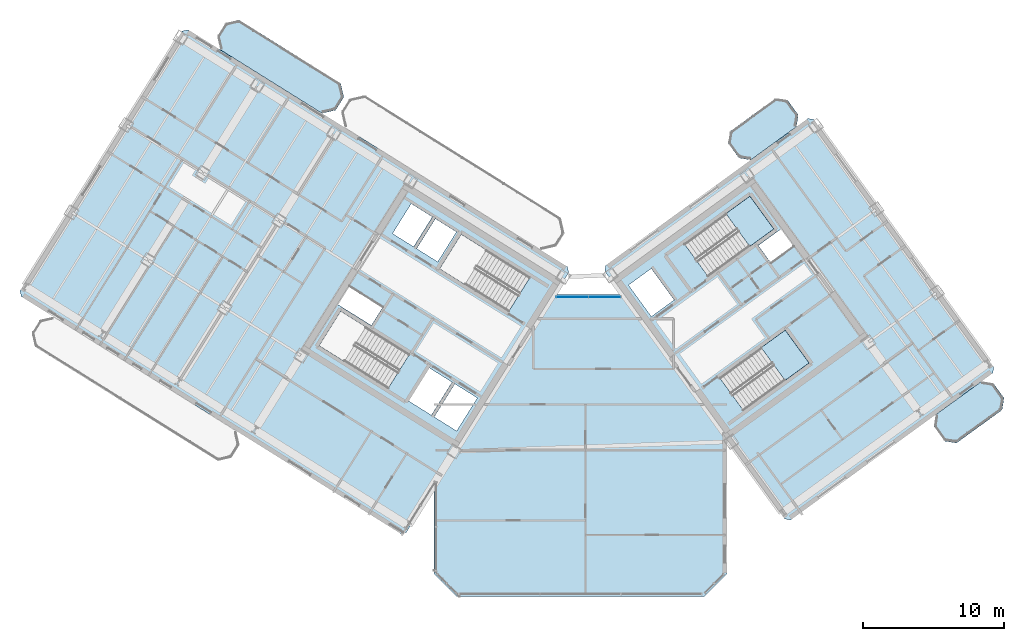
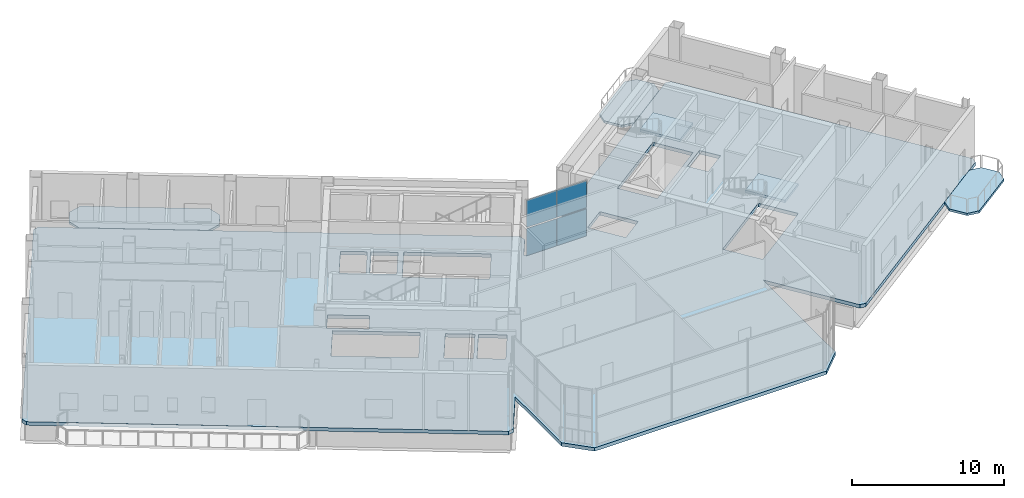
# One storey, part 15 of 26: 6 slabs, 4 plates, 3 elements without a shape of their own.
"""IFC4 building model written with IfcOpenShell, lengths in metres."""

import ifcopenshell
import ifcopenshell.guid

model = None  # the IFC model being written
_history = None  # IfcOwnerHistory: only IFC2X3 demands one
_inside = {}  # id of a spatial element -> (the spatial element, [elements in it])
_under = {}  # id of a project, library or spatial element -> (it, [spatial elements below it])
_declared = {}  # id of a project -> (the project, [libraries it declares])
_typed = {}  # id of a type object -> (the type object, [elements of that type])
_made_of = {}  # id of a material, layer set ... -> (it, [elements and type objects made of it])


def new_model(schema):
    """Start an empty IFC model of exactly this schema.

    Asked for "IFC4X3", IfcOpenShell would pick the latest addendum, in which some entities
    have other attributes; the version numbers below select the first issue.
    IFC2X3 requires an IfcOwnerHistory on every rooted entity: one is made here for all.
    """
    global model, _history
    if schema == "IFC4X3":
        model = ifcopenshell.file(schema_version=(4, 3, 0, 0))
    else:
        model = ifcopenshell.file(schema=schema)
    _inside.clear()
    _under.clear()
    _declared.clear()
    _typed.clear()
    _made_of.clear()
    _history = None
    if model.schema == "IFC2X3":
        org = make("IfcOrganization", Name="unknown")
        user = make(
            "IfcPersonAndOrganization",
            ThePerson=make("IfcPerson", FamilyName="unknown"),
            TheOrganization=org,
        )
        app = make(
            "IfcApplication",
            ApplicationDeveloper=org,
            Version="unknown",
            ApplicationFullName="unknown",
            ApplicationIdentifier="unknown",
        )
        _history = make(
            "IfcOwnerHistory",
            OwningUser=user,
            OwningApplication=app,
            ChangeAction="ADDED",
            CreationDate=0,
        )
    return model


def make(cls, **values):
    """One entity of the class cls with the attributes given. An attribute that is None is left unset."""
    return model.create_entity(
        cls, **{name: value for name, value in values.items() if value is not None}
    )


def rooted(cls, **values):
    """An entity with a GlobalId (a new one), such as an element, a storey or a relation."""
    return make(cls, GlobalId=ifcopenshell.guid.new(), OwnerHistory=_history, **values)


def si_unit(unit_type, name, prefix=None):
    """IfcSIUnit, for example si_unit("LENGTHUNIT", "METRE", prefix="MILLI")."""
    return make("IfcSIUnit", UnitType=unit_type, Prefix=prefix, Name=name)


def assignment(units):
    """IfcUnitAssignment: the units of a project."""
    return None if units is None else make("IfcUnitAssignment", Units=units)


def point(xyz):
    """IfcCartesianPoint."""
    return None if xyz is None else make("IfcCartesianPoint", Coordinates=xyz)


def direction(xyz):
    """IfcDirection."""
    return None if xyz is None else make("IfcDirection", DirectionRatios=xyz)


def frame(location, z_axis=None, x_axis=None):
    """IfcAxis2Placement3D, a coordinate frame: its origin and axes. An axis left out is left unset."""
    return make(
        "IfcAxis2Placement3D",
        Location=point(location),
        Axis=direction(z_axis),
        RefDirection=direction(x_axis),
    )


def frame_2d(location, x_axis=None):
    """IfcAxis2Placement2D, a coordinate frame in the plane: its origin and x axis."""
    return make(
        "IfcAxis2Placement2D", Location=point(location), RefDirection=direction(x_axis)
    )


def origin():
    """The frame at (0, 0, 0) with its axes left unset."""
    return frame((0.0, 0.0, 0.0))


def origin_2d():
    """The frame at (0, 0) in the plane with its x axis left unset."""
    return frame_2d((0.0, 0.0))


def place(relative_to, where):
    """IfcLocalPlacement: puts the frame where relative to a parent placement (None: the world)."""
    return make(
        "IfcLocalPlacement", PlacementRelTo=relative_to, RelativePlacement=where
    )


def context(
    kind, dimensions, precision=None, world=None, true_north=None, identifier=None
):
    """IfcGeometricRepresentationContext, for example the 3D "Model" context."""
    return make(
        "IfcGeometricRepresentationContext",
        ContextIdentifier=identifier,
        ContextType=kind,
        CoordinateSpaceDimension=dimensions,
        Precision=precision,
        WorldCoordinateSystem=world,
        TrueNorth=true_north,
    )


def subcontext(parent, identifier, kind, view, scale=None):
    """IfcGeometricRepresentationSubContext, for example "Body" below "Model"."""
    return make(
        "IfcGeometricRepresentationSubContext",
        ContextIdentifier=identifier,
        ContextType=kind,
        ParentContext=parent,
        TargetScale=scale,
        TargetView=view,
    )


def project(units=None, contexts=None):
    """IfcProject with its units and contexts."""
    return rooted(
        "IfcProject",
        Name="project",
        RepresentationContexts=contexts,
        UnitsInContext=assignment(units),
    )


def spatial(cls, under=None, at=None, **own):
    """A site, building, storey or space (cls), placed at a placement, below another one or the project."""
    s = rooted(cls, ObjectPlacement=at, **own)
    if under is not None:
        _under.setdefault(under.id(), (under, []))[1].append(s)
    return s


def polyline(points):
    """IfcPolyline through the points."""
    return make("IfcPolyline", Points=[point(p) for p in points])


def profile(cls, at=None, kind="AREA", **sizes):
    """A parametric profile (cls). Its sizes go by their IFC names, for example OverallWidth=200.0."""
    return make(cls, ProfileType=kind, Position=at, **sizes)


def rectangle(**sizes):
    """IfcRectangleProfileDef."""
    return profile("IfcRectangleProfileDef", **sizes)


def outline(outer, holes=None, kind="AREA"):
    """IfcArbitraryClosedProfileDef: a profile drawn as a closed curve; with holes, ...WithVoids."""
    if holes is None:
        return make("IfcArbitraryClosedProfileDef", ProfileType=kind, OuterCurve=outer)
    return make(
        "IfcArbitraryProfileDefWithVoids",
        ProfileType=kind,
        OuterCurve=outer,
        InnerCurves=holes,
    )


def extrude(swept, where, along, depth):
    """IfcExtrudedAreaSolid: the profile swept, set in the frame where, extruded along a direction by depth."""
    return make(
        "IfcExtrudedAreaSolid",
        SweptArea=swept,
        Position=where,
        ExtrudedDirection=direction(along),
        Depth=depth,
    )


def shape(context_of_items, identifier, shape_type, items):
    """IfcShapeRepresentation: the items that make up one representation, for example the "Body"."""
    return make(
        "IfcShapeRepresentation",
        ContextOfItems=context_of_items,
        RepresentationIdentifier=identifier,
        RepresentationType=shape_type,
        Items=items,
    )


def source(mapping_origin, context_of_items, identifier, shape_type, items):
    """IfcRepresentationMap: a shape defined once, which mapped items show again and again."""
    return make(
        "IfcRepresentationMap",
        MappingOrigin=mapping_origin,
        MappedRepresentation=shape(context_of_items, identifier, shape_type, items),
    )


def transform(
    local_origin,
    x_axis=None,
    y_axis=None,
    z_axis=None,
    scale=None,
    scale2=None,
    scale3=None,
    uniform=True,
):
    """IfcCartesianTransformationOperator3D, or its non-uniform kind. x_axis, y_axis, z_axis: its Axis1, 2, 3."""
    if uniform:
        return make(
            "IfcCartesianTransformationOperator3D",
            Axis1=direction(x_axis),
            Axis2=direction(y_axis),
            LocalOrigin=point(local_origin),
            Scale=scale,
            Axis3=direction(z_axis),
        )
    return make(
        "IfcCartesianTransformationOperator3DnonUniform",
        Axis1=direction(x_axis),
        Axis2=direction(y_axis),
        LocalOrigin=point(local_origin),
        Scale=scale,
        Axis3=direction(z_axis),
        Scale2=scale2,
        Scale3=scale3,
    )


def mapped(mapping_source, mapping_target):
    """IfcMappedItem: shows the shape of a source again, moved by a transform."""
    return make(
        "IfcMappedItem", MappingSource=mapping_source, MappingTarget=mapping_target
    )


def material(Name=None, Category=None):
    """IfcMaterial."""
    return make("IfcMaterial", Name=Name, Category=Category)


def layer(
    of_material, thickness, ventilated=None, Name=None, Category=None, Priority=None
):
    """IfcMaterialLayer: one layer of a wall or slab, of a material (None: an air gap)."""
    return make(
        "IfcMaterialLayer",
        Material=of_material,
        LayerThickness=thickness,
        IsVentilated=ventilated,
        Name=Name,
        Category=Category,
        Priority=Priority,
    )


def layer_set(layers, Name=None):
    """IfcMaterialLayerSet."""
    return make("IfcMaterialLayerSet", MaterialLayers=layers, LayerSetName=Name)


def made_of(thing, what):
    """Note that an element or type object is made of a material, layer set ...; save() writes the relation."""
    if what is not None:
        _made_of.setdefault(what.id(), (what, []))[1].append(thing)
    return thing


def type_object(cls, material=None, **own):
    """A type object (cls), such as IfcWallType, which elements share."""
    return made_of(rooted(cls, **own), material)


def element(
    cls,
    number,
    at=None,
    inside=None,
    cuts=None,
    type_object=None,
    material=None,
    context=None,
    identifier="Body",
    shape_type=None,
    held_by="IfcProductDefinitionShape",
    body=None,
    shapes=None,
    **own,
):
    """One element of the class cls, such as IfcWall. Its Tag is "e" and its number.

    at: its placement. inside: the storey or other place that contains it. cuts: it is an
    opening in that element (IfcRelVoidsElement). A single representation is given by context,
    identifier, shape_type and body (its items); several are given by shapes. held_by: the class
    of the entity that holds the representations. save() writes the other relations.
    """
    e = rooted(cls, Tag="e%d" % number, ObjectPlacement=at, **own)
    if body is not None:
        shapes = [shape(context, identifier, shape_type, body)]
    if shapes is not None:
        e.Representation = make(held_by, Representations=shapes)
    if inside is not None:
        _inside.setdefault(inside.id(), (inside, []))[1].append(e)
    if cuts is not None:
        rooted(
            "IfcRelVoidsElement", RelatingBuildingElement=cuts, RelatedOpeningElement=e
        )
    if type_object is not None:
        _typed.setdefault(type_object.id(), (type_object, []))[1].append(e)
    return made_of(e, material)


def aggregate(whole, parts):
    """IfcRelAggregates: a whole, such as a stair, and the parts it consists of."""
    return rooted("IfcRelAggregates", RelatingObject=whole, RelatedObjects=parts)


def save(model, path):
    """Write the relations noted so far, then the file.

    IfcRelAggregates (storeys below a building ...), IfcRelContainedInSpatialStructure (elements
    in a storey), IfcRelDefinesByType, IfcRelAssociatesMaterial and IfcRelDeclares: one each for
    every whole, place, type object, material and project.
    """
    for whole, parts in _under.values():
        aggregate(whole, parts)
    for where, things in _inside.values():
        rooted(
            "IfcRelContainedInSpatialStructure",
            RelatedElements=things,
            RelatingStructure=where,
        )
    for kind, things in _typed.values():
        rooted("IfcRelDefinesByType", RelatedObjects=things, RelatingType=kind)
    for what, things in _made_of.values():
        rooted("IfcRelAssociatesMaterial", RelatedObjects=things, RelatingMaterial=what)
    for by, libraries in _declared.values():
        rooted("IfcRelDeclares", RelatingContext=by, RelatedDefinitions=libraries)
    model.write(path)


model = new_model("IFC4")

# Units and contexts
model_context = context("Model", 3, precision=1e-05, world=origin(), true_north=direction((0.0, 1.0)))
body_context = subcontext(model_context, "Body", "Model", "MODEL_VIEW")
ifc_project = project(units=[si_unit("LENGTHUNIT", "METRE"), si_unit("AREAUNIT", "SQUARE_METRE"), si_unit("VOLUMEUNIT", "CUBIC_METRE"), si_unit("PLANEANGLEUNIT", "RADIAN"), si_unit("MASSUNIT", "GRAM", prefix="KILO")], contexts=[model_context])

# Site, building, storey
site_placement = place(None, origin())
site = spatial("IfcSite", under=ifc_project, at=site_placement, CompositionType="ELEMENT")
building_placement = place(site_placement, origin())
building = spatial("IfcBuilding", under=site, at=building_placement, Name="Tlacorven Tower", CompositionType="ELEMENT")
storey_placement = place(building_placement, frame((0.0, 0.0, 233.699951171875)))
storey = spatial("IfcBuildingStorey", under=building, at=storey_placement, Name="L59", CompositionType="ELEMENT", Elevation=233.699951171875)

# Slabs
ifc_material_1 = material(Name="Precast concrete C45/55", Category="concrete")
ifc_layer_1 = layer(ifc_material_1, 0.179931640625)
ifc_layer_set_1 = layer_set([ifc_layer_1], Name="Precast concrete C45/55")
slab_type_1 = type_object("IfcSlabType", Name="SL-BAL-180", PredefinedType="USERDEFINED", material=ifc_layer_set_1)
slab_1_placement = place(storey_placement, frame((0.0, 0.0, -0.179931640625)))
element("IfcSlab", 1, at=slab_1_placement, inside=storey, type_object=slab_type_1, Name="L59 West Wing Balcony Ribbon IN", ObjectType="BALCONY SLAB", PredefinedType="USERDEFINED", context=body_context, shape_type="SweptSolid", body=[
    extrude(outline(polyline([(24.98974609375, 38.18115234375), (17.781494140625, 42.685546875), (16.81689453125, 42.462890625), (16.236572265625, 41.5341796875), (16.459228515625, 40.569580078125), (23.667724609375, 36.065185546875), (24.63232421875, 36.2880859375), (25.21240234375, 37.216552734375), (24.98974609375, 38.18115234375)])), origin(), (0.0, 0.0, 1.0), 0.179931640625),
])
slab_2_placement = place(storey_placement, frame((0.0, 0.0, -0.179931640625)))
element("IfcSlab", 2, at=slab_2_placement, inside=storey, type_object=slab_type_1, Name="L59 East Wing Balcony Ribbon OUT", ObjectType="BALCONY SLAB", PredefinedType="USERDEFINED", context=body_context, shape_type="SweptSolid", body=[
    extrude(outline(polyline([(68.669921875, 12.678955078125), (71.906005859375, 15.0302734375), (72.03857421875, 15.8681640625), (71.27734375, 16.916015625), (70.439453125, 17.048583984375), (67.203369140625, 14.697509765625), (67.070556640625, 13.859375), (67.831787109375, 12.811767578125), (68.669921875, 12.678955078125)])), origin(), (0.0, 0.0, 1.0), 0.179931640625),
])
slab_3_placement = place(storey_placement, frame((0.0, 0.0, -0.179931640625)))
element("IfcSlab", 3, at=slab_3_placement, inside=storey, type_object=slab_type_1, Name="L59 East Wing Balcony Ribbon IN", ObjectType="BALCONY SLAB", PredefinedType="USERDEFINED", context=body_context, shape_type="SweptSolid", body=[
    extrude(outline(polyline([(54.078125, 32.762939453125), (57.314208984375, 35.114013671875), (57.44677734375, 35.9521484375), (56.685791015625, 36.999755859375), (55.84765625, 37.132568359375), (52.611572265625, 34.78125), (52.478759765625, 33.943359375), (53.239990234375, 32.8955078125), (54.078125, 32.762939453125)])), origin(), (0.0, 0.0, 1.0), 0.179931640625),
])

# Stair, slab
ifc_material_2 = material(Name="Concrete C40/50", Category="concrete")
stair_type = type_object("IfcStairType", Name="ST-CORE-DLG", PredefinedType="HALF_TURN_STAIR", material=ifc_material_2)
stair_1_placement = place(storey_placement, origin())
stair_1 = element("IfcStair", 4, at=stair_1_placement, inside=storey, type_object=stair_type, Name="L59 Protected Exit Stair East 1", PredefinedType="HALF_TURN_STAIR")
ifc_layer_2 = layer(ifc_material_2, 0.199951171875)
ifc_layer_set_2 = layer_set([ifc_layer_2], Name="Concrete C40/50")
slab_type_2 = type_object("IfcSlabType", Name="SL-LND-200", PredefinedType="LANDING", material=ifc_layer_set_2)
slab_4_placement = place(storey_placement, frame((0.0, 0.0, 2.199951171875)))
slab_4 = element("IfcSlab", 5, at=slab_4_placement, type_object=slab_type_2, Name="ST-E1 landing 1", PredefinedType="LANDING", context=body_context, shape_type="SweptSolid", body=[
    extrude(outline(polyline([(54.00390625, 26.621337890625), (55.7109375, 27.861572265625), (54.01806640625, 30.19140625), (52.31103515625, 28.951171875), (54.00390625, 26.621337890625)])), origin(), (0.0, 0.0, 1.0), 0.2001953125),
])
aggregate(stair_1, [slab_4])

stair_2_placement = place(storey_placement, origin())
stair_2 = element("IfcStair", 6, at=stair_2_placement, inside=storey, type_object=stair_type, Name="L59 Protected Exit Stair East 2", PredefinedType="HALF_TURN_STAIR")
slab_5_placement = place(storey_placement, frame((0.0, 0.0, 2.199951171875)))
slab_5 = element("IfcSlab", 7, at=slab_5_placement, type_object=slab_type_2, Name="ST-E2 landing 1", PredefinedType="LANDING", context=body_context, shape_type="SweptSolid", body=[
    extrude(outline(polyline([(56.5078125, 17.1181640625), (58.21484375, 18.3583984375), (56.52197265625, 20.6884765625), (54.81494140625, 19.4482421875), (56.5078125, 17.1181640625)])), origin(), (0.0, 0.0, 1.0), 0.2001953125),
])
aggregate(stair_2, [slab_5])

# Slab
ifc_material_3 = material(Name="Concrete C50/60", Category="concrete")
ifc_layer_3 = layer(ifc_material_3, 0.280029296875)
ifc_layer_set_3 = layer_set([ifc_layer_3], Name="Concrete C50/60")
slab_type_3 = type_object("IfcSlabType", Name="SL-WND-280", PredefinedType="FLOOR", material=ifc_layer_set_3)
slab_6_placement = place(storey_placement, frame((0.0, 0.0, -0.280029296875)))
element("IfcSlab", 8, at=slab_6_placement, inside=storey, type_object=slab_type_3, Name="L59 Boomerang Tower Floor Slab", PredefinedType="FLOOR", context=body_context, shape_type="SweptSolid", body=[
    extrude(outline(polyline([(52.39990234375, 3.39990234375), (50.800048828125, 1.800048828125), (33.199951171875, 1.800048828125), (31.60009765625, 3.39990234375), (31.60009765625, 9.470703125), (29.652587890625, 6.35400390625), (29.2392578125, 6.258544921875), (2.339111328125, 23.067626953125), (2.24365234375, 23.481201171875), (13.75341796875, 41.900634765625), (14.1669921875, 41.99609375), (41.06689453125, 25.18701171875), (41.162353515625, 24.773681640625), (40.178955078125, 23.199951171875), (44.932373046875, 23.199951171875), (43.723876953125, 24.86328125), (43.790283203125, 25.2822265625), (58.1259765625, 35.69775390625), (58.545166015625, 35.63134765625), (71.311767578125, 18.0595703125), (71.245361328125, 17.640380859375), (56.90966796875, 7.224853515625), (56.49072265625, 7.291259765625), (52.39990234375, 12.921630859375), (52.39990234375, 3.39990234375)]), holes=[polyline([(29.865478515625, 18.979736328125), (24.9892578125, 22.02685546875), (23.463134765625, 19.58447265625), (28.33935546875, 16.537353515625), (29.865478515625, 18.979736328125)]), polyline([(38.4169921875, 24.4375), (33.540771484375, 27.484375), (32.0146484375, 25.0419921875), (36.890869140625, 21.9951171875), (38.4169921875, 24.4375)]), polyline([(51.05908203125, 24.481689453125), (55.7109375, 27.861572265625), (54.01806640625, 30.19140625), (49.3662109375, 26.811767578125), (51.05908203125, 24.481689453125)]), polyline([(53.56298828125, 14.978759765625), (58.21484375, 18.3583984375), (56.52197265625, 20.6884765625), (51.8701171875, 17.30859375), (53.56298828125, 14.978759765625)]), polyline([(34.682373046875, 15.87548828125), (33.088134765625, 16.871826171875), (31.62548828125, 14.531005859375), (33.2197265625, 13.534912109375), (34.682373046875, 15.87548828125)]), polyline([(32.884521484375, 16.9990234375), (31.2392578125, 18.02685546875), (29.77685546875, 15.686279296875), (31.421875, 14.658203125), (32.884521484375, 16.9990234375)]), polyline([(47.0234375, 21.648681640625), (48.6416015625, 22.82421875), (47.019287109375, 25.05712890625), (45.401123046875, 23.881591796875), (47.0234375, 21.648681640625)]), polyline([(33.197265625, 27.65185546875), (31.704833984375, 28.58447265625), (30.3798828125, 26.46435546875), (31.87255859375, 25.53173828125), (33.197265625, 27.65185546875)]), polyline([(31.484375, 28.722412109375), (29.99169921875, 29.655029296875), (28.6669921875, 27.534912109375), (30.159423828125, 26.602294921875), (31.484375, 28.722412109375)]), polyline([(27.96142578125, 22.2919921875), (25.603759765625, 23.76513671875), (24.80908203125, 22.4931640625), (27.16650390625, 21.02001953125), (27.96142578125, 22.2919921875)]), polyline([(55.490478515625, 25.4765625), (57.092529296875, 26.640380859375), (56.210693359375, 27.85400390625), (54.60888671875, 26.690185546875), (55.490478515625, 25.4765625)])]), origin(), (0.0, 0.0, 1.0), 0.280029296875),
])

# Curtain wall, plates
ifc_material_4 = material(Name="Dark solar low-E double glazing in aluminium frame", Category="aluminium")
curtain_wall_type = type_object("IfcCurtainWallType", Name="CW-TWR-HIGH", PredefinedType="USERDEFINED", material=ifc_material_4)
curtain_wall_placement = place(storey_placement, origin())
curtain_wall = element("IfcCurtainWall", 9, at=curtain_wall_placement, inside=storey, type_object=curtain_wall_type, Name="L59 CW-TWR-HIGH Curtain Wall 271", ObjectType="UNITISED CURTAIN WALL", PredefinedType="USERDEFINED")
ifc_material_5 = material(Name="High-wind dark solar tempered low-E glazing", Category="glass")
ifc_layer_4 = layer(ifc_material_5, 0.028076171875)
ifc_layer_set_4 = layer_set([ifc_layer_4], Name="High-wind dark solar tempered low-E glazing")
plate_type = type_object("IfcPlateType", Name="CWP-03", PredefinedType="CURTAIN_PANEL", material=ifc_layer_set_4)
shared_shape = source(origin(), body_context, "Body", "SweptSolid", [
    extrude(rectangle(XDim=2.246337890625, YDim=0.028076171875, at=origin_2d()), origin(), (0.0, 0.0, 1.0), 2.173095703125),
])
plate_1_placement = place(storey_placement, frame((41.41796875, 23.0400390625, 0.05078125), z_axis=(0.0, 0.0, 1.0), x_axis=(1.0, 0.0, 0.0)))
plate_1 = element("IfcPlate", 10, at=plate_1_placement, type_object=plate_type, Name="CW-L59-271 Glazing Panel 1", PredefinedType="CURTAIN_PANEL", context=body_context, shape_type="MappedRepresentation", body=[
    mapped(shared_shape, transform((0.0, 0.0, 0.0), scale=1.0)),
])
plate_2_placement = place(storey_placement, frame((41.41796875, 23.0400390625, 2.326171875), z_axis=(0.0, 0.0, 1.0), x_axis=(1.0, 0.0, 0.0)))
plate_2 = element("IfcPlate", 11, at=plate_2_placement, type_object=plate_type, Name="CW-L59-271 Glazing Panel 2", PredefinedType="CURTAIN_PANEL", context=body_context, shape_type="MappedRepresentation", body=[
    mapped(shared_shape, transform((0.0, 0.0, 0.0), scale=1.0)),
])
plate_3_placement = place(storey_placement, frame((43.706298828125, 23.0400390625, 0.05078125), z_axis=(0.0, 0.0, 1.0), x_axis=(1.0, 0.0, 0.0)))
plate_3 = element("IfcPlate", 12, at=plate_3_placement, type_object=plate_type, Name="CW-L59-271 Glazing Panel 3", PredefinedType="CURTAIN_PANEL", context=body_context, shape_type="MappedRepresentation", body=[
    mapped(shared_shape, transform((0.0, 0.0, 0.0), scale=1.0)),
])
plate_4_placement = place(storey_placement, frame((43.706298828125, 23.0400390625, 2.326171875), z_axis=(0.0, 0.0, 1.0), x_axis=(1.0, 0.0, 0.0)))
plate_4 = element("IfcPlate", 13, at=plate_4_placement, type_object=plate_type, Name="CW-L59-271 Glazing Panel 4", PredefinedType="CURTAIN_PANEL", context=body_context, shape_type="MappedRepresentation", body=[
    mapped(shared_shape, transform((0.0, 0.0, 0.0), scale=1.0)),
])
aggregate(curtain_wall, [plate_1, plate_2, plate_3, plate_4])

save(model, "model.ifc")
